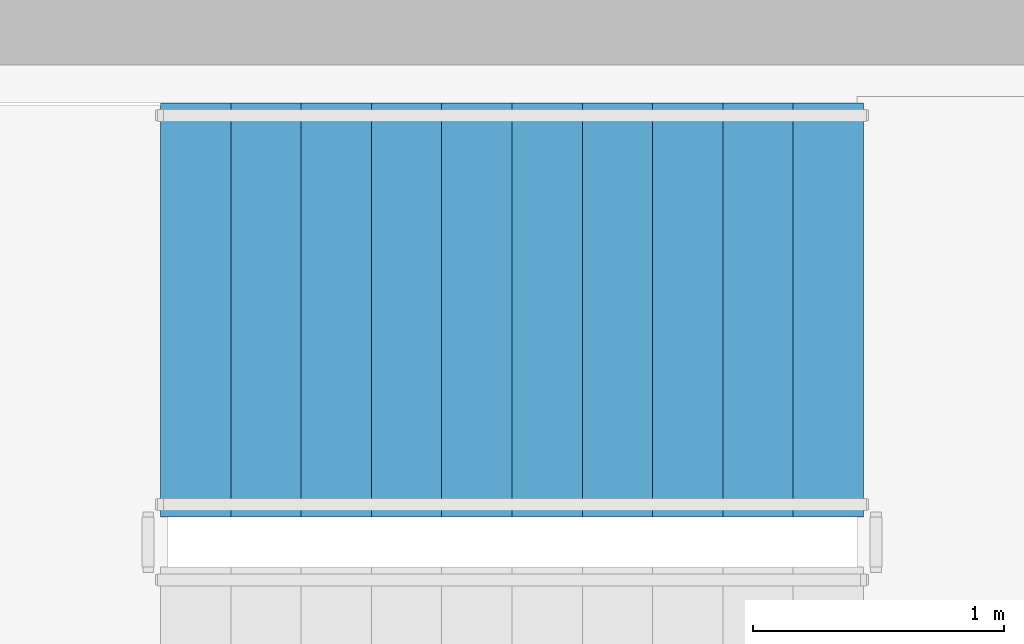
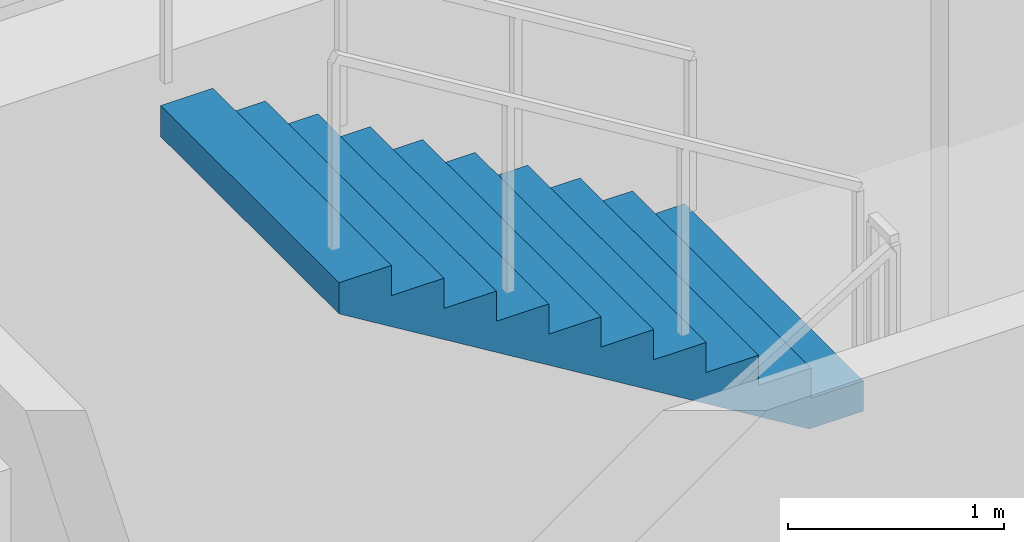
# One storey, part 28 of 33: 1 stair flight, 1 element without a shape of its own.
"""IFC4 building model written with IfcOpenShell, lengths in metres."""

from ifc_helpers import new_model, si_unit, direction, frame, origin, place, context, subcontext, project, spatial, polyline, outline, extrude, material, type_object, element, aggregate, save


model = new_model("IFC4")

# Units and contexts
model_context = context("Model", 3, precision=1e-05, world=origin(), true_north=direction((0.0, 1.0)))
body_context = subcontext(model_context, "Body", "Model", "MODEL_VIEW")
ifc_project = project(units=[si_unit("LENGTHUNIT", "METRE"), si_unit("AREAUNIT", "SQUARE_METRE"), si_unit("VOLUMEUNIT", "CUBIC_METRE"), si_unit("PLANEANGLEUNIT", "RADIAN"), si_unit("MASSUNIT", "GRAM", prefix="KILO")], contexts=[model_context])

# Site, building, storey
site_placement = place(None, origin())
site = spatial("IfcSite", under=ifc_project, at=site_placement, CompositionType="ELEMENT")
building_placement = place(site_placement, origin())
building = spatial("IfcBuilding", under=site, at=building_placement, Name="Haldenkirk Collegiate Tower", CompositionType="ELEMENT")
storey_placement = place(building_placement, frame((0.0, 0.0, 77.699951171875)))
storey = spatial("IfcBuildingStorey", under=building, at=storey_placement, Name="L18", CompositionType="ELEMENT", Elevation=77.699951171875)

# Stair, stair flight
ifc_material = material(Name="Concrete f'c 40 MPa", Category="concrete")
stair_type = type_object("IfcStairType", Name="STR-DOGLEG-1650", PredefinedType="HALF_TURN_STAIR", material=ifc_material)
stair_placement = place(storey_placement, origin())
stair = element("IfcStair", 1, at=stair_placement, inside=storey, type_object=stair_type, Name="L18 Core Exit Stair ST-3", PredefinedType="HALF_TURN_STAIR")
stair_flight_type = type_object("IfcStairFlightType", Name="STF-FLIGHT-1650", PredefinedType="STRAIGHT", material=ifc_material)
stair_flight_placement = place(storey_placement, frame((36.449951171875, 32.72509765625, 1.875), z_axis=(0.0, 0.0, 1.0), x_axis=(-1.0, 0.0, 0.0)))
stair_flight = element("IfcStairFlight", 2, at=stair_flight_placement, type_object=stair_flight_type, Name="ST-3 flight 2", NumberOfRisers=11, NumberOfTreads=10, PredefinedType="STRAIGHT", RiserHeight=0.170454545, TreadLength=0.28, context=body_context, shape_type="SweptSolid", body=[
    extrude(outline(polyline([(0.0, 0.0), (0.0, 0.17041015625), (0.280029296875, 0.17041015625), (0.280029296875, 0.3408203125), (0.56005859375, 0.3408203125), (0.56005859375, 0.511474609375), (0.840087890625, 0.511474609375), (0.840087890625, 0.681884765625), (1.1201171875, 0.681884765625), (1.1201171875, 0.852294921875), (1.39990234375, 0.852294921875), (1.39990234375, 1.022705078125), (1.679931640625, 1.022705078125), (1.679931640625, 1.193115234375), (1.9599609375, 1.193115234375), (1.9599609375, 1.363525390625), (2.239990234375, 1.363525390625), (2.239990234375, 1.5341796875), (2.52001953125, 1.5341796875), (2.52001953125, 1.70458984375), (2.800048828125, 1.70458984375), (2.800048828125, 1.875), (2.800048828125, 1.529052734375), (0.288330078125, 0.0), (0.0, 0.0)])), frame((0.0, 0.824951171875, 0.0), z_axis=(0.0, -1.0, 0.0), x_axis=(1.0, 0.0, 0.0)), (0.0, 0.0, 1.0), 1.64990234375),
])
aggregate(stair, [stair_flight])

save(model, "model.ifc")
